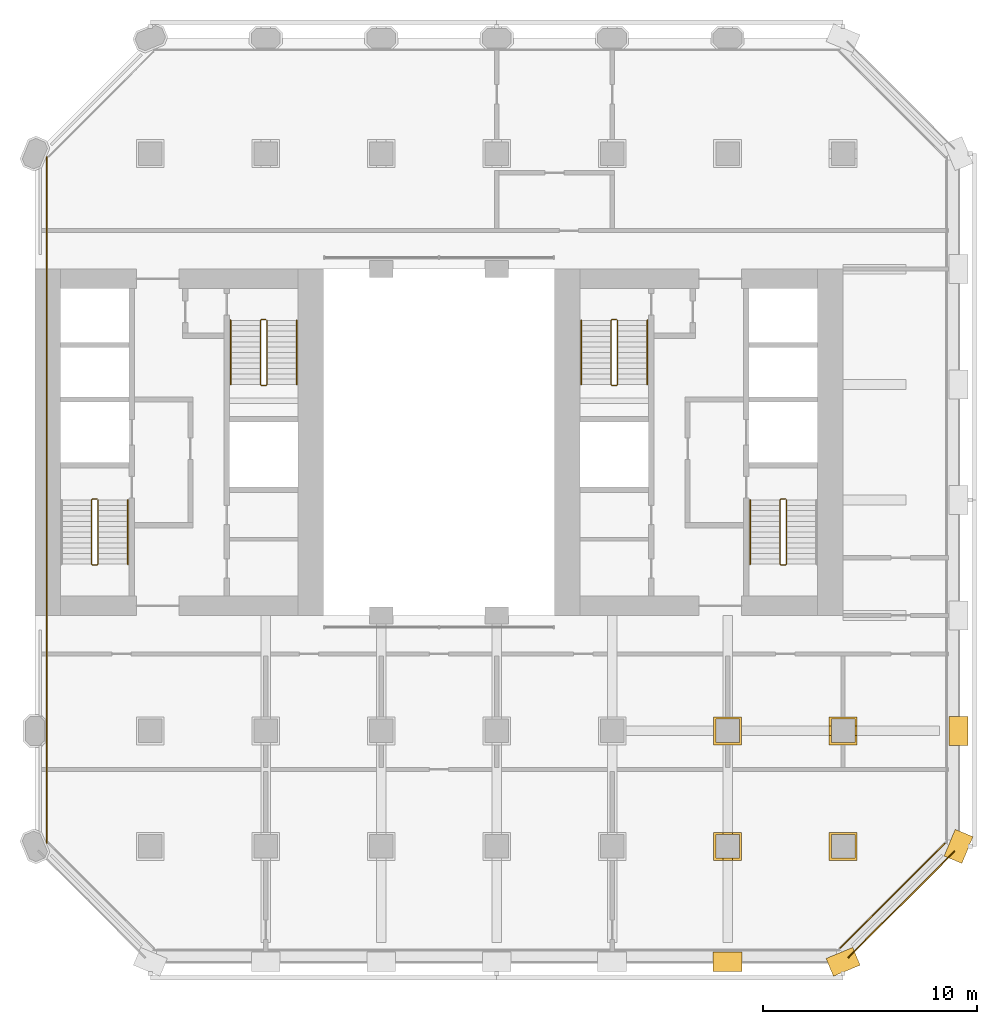
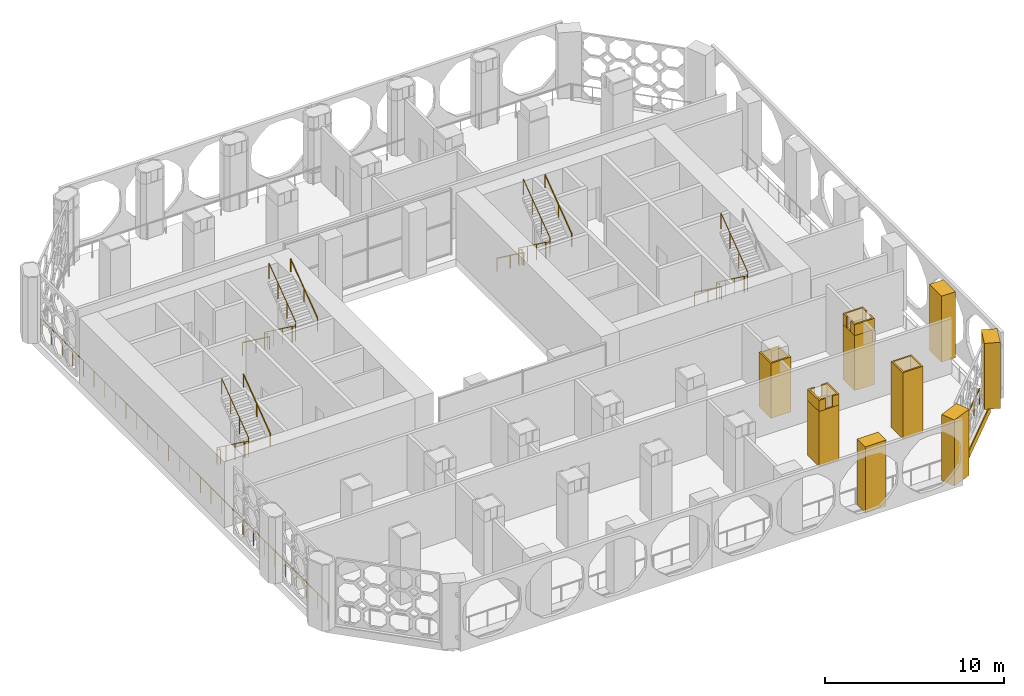
# One storey, part 12 of 14: 13 coverings, 12 railings.
"""IFC4 building model written with IfcOpenShell, lengths in metres."""

from ifc_helpers import new_model, si_unit, direction, frame, frame_2d, origin, origin_2d, place, context, subcontext, project, spatial, polyline, rectangle, circle, outline, extrude, material, layer, layer_set, type_object, element, save


model = new_model("IFC4")

# Units and contexts
model_context = context("Model", 3, precision=1e-05, world=origin(), true_north=direction((0.0, 1.0)))
body_context = subcontext(model_context, "Body", "Model", "MODEL_VIEW")
ifc_project = project(units=[si_unit("LENGTHUNIT", "METRE"), si_unit("AREAUNIT", "SQUARE_METRE"), si_unit("VOLUMEUNIT", "CUBIC_METRE"), si_unit("PLANEANGLEUNIT", "RADIAN"), si_unit("MASSUNIT", "GRAM", prefix="KILO")], contexts=[model_context])

# Site, building, storey
site_placement = place(None, origin())
site = spatial("IfcSite", under=ifc_project, at=site_placement, CompositionType="ELEMENT")
building_placement = place(site_placement, origin())
building = spatial("IfcBuilding", under=site, at=building_placement, Name="Tabaq Tower and Sports Hall", CompositionType="ELEMENT")
storey_placement = place(building_placement, frame((0.0, 0.0, 60.199951171875)))
storey = spatial("IfcBuildingStorey", under=building, at=storey_placement, Name="L13", CompositionType="ELEMENT", Elevation=60.199951171875)

# Coverings
ifc_material_1 = material(Name="Precast concrete C60/75", Category="concrete")
ifc_layer_1 = layer(ifc_material_1, 0.10009765625)
ifc_layer_set_1 = layer_set([ifc_layer_1], Name="Column cladding 100")
covering_type_1 = type_object("IfcCoveringType", Name="Column cladding 100", PredefinedType="CLADDING", material=ifc_layer_set_1)
covering_1_placement = place(storey_placement, origin())
element("IfcCovering", 1, at=covering_1_placement, inside=storey, type_object=covering_type_1, Name="Column cladding L13 CC-8B-O1", PredefinedType="CLADDING", context=body_context, shape_type="SweptSolid", body=[
    extrude(outline(polyline([(37.150390625, 6.0498046875), (38.44970703125, 6.0498046875), (38.44970703125, 4.750244140625), (37.150390625, 4.750244140625), (37.150390625, 6.0498046875)]), holes=[polyline([(38.350341796875, 4.849609375), (38.350341796875, 5.9501953125), (37.249755859375, 5.9501953125), (37.249755859375, 4.849609375), (38.350341796875, 4.849609375)])]), origin(), (0.0, 0.0, 1.0), 3.75),
])
covering_2_placement = place(storey_placement, frame((0.0, 0.0, 3.75)))
element("IfcCovering", 2, at=covering_2_placement, inside=storey, type_object=covering_type_1, Name="Column cladding L13 CC-8B-O1 head", PredefinedType="CLADDING", context=body_context, shape_type="SweptSolid", body=[
    extrude(outline(polyline([(37.574462890625, 4.849365234375), (37.574462890625, 4.75048828125), (37.150634765625, 4.75048828125), (37.150634765625, 6.04931640625), (37.574462890625, 6.04931640625), (37.574462890625, 5.95068359375), (37.24951171875, 5.95068359375), (37.24951171875, 4.849365234375), (37.574462890625, 4.849365234375)])), origin(), (0.0, 0.0, 1.0), 0.75),
])
covering_3_placement = place(storey_placement, frame((0.0, 0.0, 3.75)))
element("IfcCovering", 3, at=covering_3_placement, inside=storey, type_object=covering_type_1, Name="Column cladding L13 CC-8B-O1 head 2", PredefinedType="CLADDING", context=body_context, shape_type="SweptSolid", body=[
    extrude(outline(polyline([(38.025634765625, 4.849365234375), (38.3505859375, 4.849365234375), (38.3505859375, 5.95068359375), (38.025634765625, 5.95068359375), (38.025634765625, 6.04931640625), (38.449462890625, 6.04931640625), (38.449462890625, 4.75048828125), (38.025634765625, 4.75048828125), (38.025634765625, 4.849365234375)])), origin(), (0.0, 0.0, 1.0), 0.75),
])
covering_4_placement = place(storey_placement, origin())
element("IfcCovering", 4, at=covering_4_placement, inside=storey, type_object=covering_type_1, Name="Column cladding L13 CC-8C-O1", PredefinedType="CLADDING", context=body_context, shape_type="SweptSolid", body=[
    extrude(outline(polyline([(37.150390625, 11.44970703125), (38.44970703125, 11.44970703125), (38.44970703125, 10.150390625), (37.150390625, 10.150390625), (37.150390625, 11.44970703125)]), holes=[polyline([(38.350341796875, 10.249755859375), (38.350341796875, 11.350341796875), (37.249755859375, 11.350341796875), (37.249755859375, 10.249755859375), (38.350341796875, 10.249755859375)])]), origin(), (0.0, 0.0, 1.0), 3.75),
])
covering_5_placement = place(storey_placement, origin())
element("IfcCovering", 5, at=covering_5_placement, inside=storey, type_object=covering_type_1, Name="Column cladding L13 CC-9B-O1", PredefinedType="CLADDING", context=body_context, shape_type="SweptSolid", body=[
    extrude(outline(polyline([(42.55029296875, 6.0498046875), (43.849609375, 6.0498046875), (43.849609375, 4.750244140625), (42.55029296875, 4.750244140625), (42.55029296875, 6.0498046875)]), holes=[polyline([(43.750244140625, 4.849609375), (43.750244140625, 5.9501953125), (42.649658203125, 5.9501953125), (42.649658203125, 4.849609375), (43.750244140625, 4.849609375)])]), origin(), (0.0, 0.0, 1.0), 4.5),
])
covering_6_placement = place(storey_placement, origin())
element("IfcCovering", 6, at=covering_6_placement, inside=storey, type_object=covering_type_1, Name="Column cladding L13 CC-9C-O1", PredefinedType="CLADDING", context=body_context, shape_type="SweptSolid", body=[
    extrude(outline(polyline([(42.55029296875, 11.44970703125), (43.849609375, 11.44970703125), (43.849609375, 10.150390625), (42.55029296875, 10.150390625), (42.55029296875, 11.44970703125)]), holes=[polyline([(43.750244140625, 10.249755859375), (43.750244140625, 11.350341796875), (42.649658203125, 11.350341796875), (42.649658203125, 10.249755859375), (43.750244140625, 10.249755859375)])]), origin(), (0.0, 0.0, 1.0), 3.75),
])
covering_7_placement = place(storey_placement, frame((0.0, 0.0, 3.75)))
element("IfcCovering", 7, at=covering_7_placement, inside=storey, type_object=covering_type_1, Name="Column cladding L13 CC-9C-O1 head", PredefinedType="CLADDING", context=body_context, shape_type="SweptSolid", body=[
    extrude(outline(polyline([(42.6494140625, 11.025634765625), (42.550537109375, 11.025634765625), (42.550537109375, 11.449462890625), (43.849365234375, 11.449462890625), (43.849365234375, 11.025634765625), (43.75048828125, 11.025634765625), (43.75048828125, 11.3505859375), (42.6494140625, 11.3505859375), (42.6494140625, 11.025634765625)])), origin(), (0.0, 0.0, 1.0), 0.75),
])
covering_8_placement = place(storey_placement, frame((0.0, 0.0, 3.75)))
element("IfcCovering", 8, at=covering_8_placement, inside=storey, type_object=covering_type_1, Name="Column cladding L13 CC-9C-O1 head 2", PredefinedType="CLADDING", context=body_context, shape_type="SweptSolid", body=[
    extrude(outline(polyline([(42.6494140625, 10.574462890625), (42.6494140625, 10.24951171875), (43.75048828125, 10.24951171875), (43.75048828125, 10.574462890625), (43.849365234375, 10.574462890625), (43.849365234375, 10.150634765625), (42.550537109375, 10.150634765625), (42.550537109375, 10.574462890625), (42.6494140625, 10.574462890625)])), origin(), (0.0, 0.0, 1.0), 0.75),
])
ifc_material_2 = material(Name="Precast concrete C60/75", Category="concrete")
ifc_layer_2 = layer(ifc_material_2, 0.06005859375)
ifc_layer_set_2 = layer_set([ifc_layer_2], Name="Edge beam cladding 60")
covering_type_2 = type_object("IfcCoveringType", Name="Edge beam cladding 60", PredefinedType="CLADDING", material=ifc_layer_set_2)
covering_9_placement = place(storey_placement, frame((43.432373046875, 0.18994140625, -0.5), z_axis=(0.0, 0.0, 1.0), x_axis=(0.707106781187, 0.707106781187, 0.0)))
element("IfcCovering", 9, at=covering_9_placement, inside=storey, type_object=covering_type_2, Name="Edge beam cladding L13 2", PredefinedType="CLADDING", context=body_context, shape_type="SweptSolid", body=[
    extrude(rectangle(XDim=7.03955078125, YDim=0.06005859375, at=frame_2d((3.519775390625, 0.0))), origin(), (0.0, 0.0, 1.0), 0.5),
])

# Railings
ifc_material_3 = material(Name="Stainless steel S316 and laminated glass", Category="steel")
railing_type_1 = type_object("IfcRailingType", Name="Guard 1100 steel and glass", PredefinedType="GUARDRAIL", material=ifc_material_3)
railing_1_placement = place(storey_placement, frame((43.0712890625, 0.64892578125, 0.0)))
element("IfcRailing", 10, at=railing_1_placement, inside=storey, type_object=railing_type_1, Name="Guard L13 SE", PredefinedType="GUARDRAIL", context=body_context, shape_type="SweptSolid", body=[
    extrude(circle(Radius=0.02490234375, at=origin_2d()), frame((0.0, 0.0, 1.0751953125), z_axis=(0.70708909224, 0.70712446969, 0.0), x_axis=(-0.70712446969, 0.70708909224, 0.0)), (0.0, 0.0, 1.0), 6.901123046875),
    extrude(circle(Radius=0.02001953125, at=origin_2d()), origin(), (0.0, 0.0, 1.0), 1.050048828125),
    extrude(circle(Radius=0.02001953125, at=origin_2d()), frame((0.813232421875, 0.813232421875, 0.0)), (0.0, 0.0, 1.0), 1.050048828125),
    extrude(circle(Radius=0.02001953125, at=origin_2d()), frame((1.62646484375, 1.626708984375, 0.0)), (0.0, 0.0, 1.0), 1.050048828125),
    extrude(circle(Radius=0.02001953125, at=origin_2d()), frame((2.43994140625, 2.43994140625, 0.0)), (0.0, 0.0, 1.0), 1.050048828125),
    extrude(circle(Radius=0.02001953125, at=origin_2d()), frame((3.253173828125, 3.253173828125, 0.0)), (0.0, 0.0, 1.0), 1.050048828125),
    extrude(circle(Radius=0.02001953125, at=origin_2d()), frame((4.06640625, 4.066650390625, 0.0)), (0.0, 0.0, 1.0), 1.050048828125),
    extrude(circle(Radius=0.02001953125, at=origin_2d()), frame((4.879638671875, 4.8798828125, 0.0)), (0.0, 0.0, 1.0), 1.050048828125),
])
railing_2_placement = place(storey_placement, frame((5.949951171875, 37.63427734375, 0.0)))
element("IfcRailing", 11, at=railing_2_placement, inside=storey, type_object=railing_type_1, Name="Guard L13 W", PredefinedType="GUARDRAIL", context=body_context, shape_type="SweptSolid", body=[
    extrude(circle(Radius=0.02490234375, at=origin_2d()), frame((0.0, 0.0, 1.0751953125), z_axis=(0.0, -1.0, 0.0), x_axis=(1.0, 0.0, 0.0)), (0.0, 0.0, 1.0), 32.068603515625),
    extrude(circle(Radius=0.02001953125, at=origin_2d()), origin(), (0.0, 0.0, 1.0), 1.050048828125),
    extrude(circle(Radius=0.02001953125, at=origin_2d()), frame((0.0, -1.187744140625, 0.0)), (0.0, 0.0, 1.0), 1.050048828125),
    extrude(circle(Radius=0.02001953125, at=origin_2d()), frame((0.0, -2.37548828125, 0.0)), (0.0, 0.0, 1.0), 1.050048828125),
    extrude(circle(Radius=0.02001953125, at=origin_2d()), frame((0.0, -3.563232421875, 0.0)), (0.0, 0.0, 1.0), 1.050048828125),
    extrude(circle(Radius=0.02001953125, at=origin_2d()), frame((0.0, -4.7509765625, 0.0)), (0.0, 0.0, 1.0), 1.050048828125),
    extrude(circle(Radius=0.02001953125, at=origin_2d()), frame((0.0, -5.938720703125, 0.0)), (0.0, 0.0, 1.0), 1.050048828125),
    extrude(circle(Radius=0.02001953125, at=origin_2d()), frame((0.0, -7.12646484375, 0.0)), (0.0, 0.0, 1.0), 1.050048828125),
    extrude(circle(Radius=0.02001953125, at=origin_2d()), frame((0.0, -8.31396484375, 0.0)), (0.0, 0.0, 1.0), 1.050048828125),
    extrude(circle(Radius=0.02001953125, at=origin_2d()), frame((0.0, -9.501708984375, 0.0)), (0.0, 0.0, 1.0), 1.050048828125),
    extrude(circle(Radius=0.02001953125, at=origin_2d()), frame((0.0, -10.689453125, 0.0)), (0.0, 0.0, 1.0), 1.050048828125),
    extrude(circle(Radius=0.02001953125, at=origin_2d()), frame((0.0, -11.877197265625, 0.0)), (0.0, 0.0, 1.0), 1.050048828125),
    extrude(circle(Radius=0.02001953125, at=origin_2d()), frame((0.0, -13.06494140625, 0.0)), (0.0, 0.0, 1.0), 1.050048828125),
    extrude(circle(Radius=0.02001953125, at=origin_2d()), frame((0.0, -14.252685546875, 0.0)), (0.0, 0.0, 1.0), 1.050048828125),
    extrude(circle(Radius=0.02001953125, at=origin_2d()), frame((0.0, -15.4404296875, 0.0)), (0.0, 0.0, 1.0), 1.050048828125),
    extrude(circle(Radius=0.02001953125, at=origin_2d()), frame((0.0, -16.628173828125, 0.0)), (0.0, 0.0, 1.0), 1.050048828125),
    extrude(circle(Radius=0.02001953125, at=origin_2d()), frame((0.0, -17.81591796875, 0.0)), (0.0, 0.0, 1.0), 1.050048828125),
    extrude(circle(Radius=0.02001953125, at=origin_2d()), frame((0.0, -19.003662109375, 0.0)), (0.0, 0.0, 1.0), 1.050048828125),
    extrude(circle(Radius=0.02001953125, at=origin_2d()), frame((0.0, -20.19140625, 0.0)), (0.0, 0.0, 1.0), 1.050048828125),
    extrude(circle(Radius=0.02001953125, at=origin_2d()), frame((0.0, -21.379150390625, 0.0)), (0.0, 0.0, 1.0), 1.050048828125),
    extrude(circle(Radius=0.02001953125, at=origin_2d()), frame((0.0, -22.56689453125, 0.0)), (0.0, 0.0, 1.0), 1.050048828125),
    extrude(circle(Radius=0.02001953125, at=origin_2d()), frame((0.0, -23.754638671875, 0.0)), (0.0, 0.0, 1.0), 1.050048828125),
    extrude(circle(Radius=0.02001953125, at=origin_2d()), frame((0.0, -24.942138671875, 0.0)), (0.0, 0.0, 1.0), 1.050048828125),
    extrude(circle(Radius=0.02001953125, at=origin_2d()), frame((0.0, -26.1298828125, 0.0)), (0.0, 0.0, 1.0), 1.050048828125),
    extrude(circle(Radius=0.02001953125, at=origin_2d()), frame((0.0, -27.317626953125, 0.0)), (0.0, 0.0, 1.0), 1.050048828125),
    extrude(circle(Radius=0.02001953125, at=origin_2d()), frame((0.0, -28.50537109375, 0.0)), (0.0, 0.0, 1.0), 1.050048828125),
    extrude(circle(Radius=0.02001953125, at=origin_2d()), frame((0.0, -29.693115234375, 0.0)), (0.0, 0.0, 1.0), 1.050048828125),
    extrude(circle(Radius=0.02001953125, at=origin_2d()), frame((0.0, -30.880859375, 0.0)), (0.0, 0.0, 1.0), 1.050048828125),
    extrude(circle(Radius=0.02001953125, at=origin_2d()), frame((0.0, -32.068603515625, 0.0)), (0.0, 0.0, 1.0), 1.050048828125),
])

# Coverings
ifc_material_4 = material(Name="White precast concrete C60/75", Category="concrete")
covering_type_3 = type_object("IfcCoveringType", Name="Pier cladding hung 1350x900", PredefinedType="CLADDING", material=ifc_material_4)
for number, where, z_axis, x_axis, name in (
    (12, (37.125, 0.0, 0.0), (0.0, 0.0, 1.0), (1.0, 0.0, 0.0), "Hung pier cladding 7/0"),
    (13, (42.576416015625, -0.25830078125, 0.0), (0.0, 0.0, 1.0), (0.923893411637, 0.382649923473, 0.0), "Hung pier cladding 8/0"),
    (14, (48.341796875, 4.7763671875, 0.0), (0.0, 0.0, 1.0), (0.382649923473, 0.923893411637, 0.0), "Hung pier cladding 9/1"),
    (15, (48.60009765625, 10.125, 0.0), (0.0, 0.0, 1.0), (0.0, 1.0, 0.0), "Hung pier cladding 9/2"),
):
    element("IfcCovering", number, at=place(storey_placement, frame(where, z_axis=z_axis, x_axis=x_axis)), inside=storey, type_object=covering_type_3, Name=name, PredefinedType="CLADDING", context=body_context, shape_type="SweptSolid", body=[
        extrude(rectangle(XDim=1.35009765625, YDim=0.89990234375, at=frame_2d((0.675048828125, 0.0))), origin(), (0.0, 0.0, 1.0), 4.5),
    ])

# Railings
ifc_material_5 = material(Name="Stainless steel", Category="steel")
railing_type_2 = type_object("IfcRailingType", Name="Stair guard", PredefinedType="GUARDRAIL", material=ifc_material_5)
railing_3_placement = place(storey_placement, frame((8.300048828125, 21.64990234375, 0.0)))
element("IfcRailing", 16, at=railing_3_placement, inside=storey, type_object=railing_type_2, Name="L13 ST1 stair guard 1", PredefinedType="GUARDRAIL", context=body_context, shape_type="SweptSolid", body=[
    extrude(circle(Radius=0.02392578125, at=origin_2d()), frame((0.0, 0.0, 1.076171875), z_axis=(-1.0, 0.0, 0.0), x_axis=(0.0, -1.0, 0.0)), (0.0, 0.0, 1.0), 0.199951171875),
    extrude(circle(Radius=0.02392578125, at=origin_2d()), frame((-0.199951171875, 0.0, 1.076171875), z_axis=(-0.253264628505, -0.252029191293, 0.933990532438), x_axis=(0.705375805398, -0.708833529934, 0.0)), (0.0, 0.0, 1.0), 0.197509765625),
    extrude(circle(Radius=0.02392578125, at=origin_2d()), frame((-0.25, -0.0498046875, 1.2607421875), z_axis=(0.0, -0.804408721428, 0.594076265214), x_axis=(1.0, 0.0, 0.0)), (0.0, 0.0, 1.0), 3.7294921875),
    extrude(circle(Radius=0.02392578125, at=origin_2d()), frame((-0.25, -3.0498046875, 3.47607421875), z_axis=(0.707106781187, -0.707106781187, 0.0), x_axis=(0.707106781187, 0.707106781187, 0.0)), (0.0, 0.0, 1.0), 0.07080078125),
    extrude(circle(Radius=0.02392578125, at=origin_2d()), frame((-0.199951171875, -3.099853515625, 3.47607421875), z_axis=(1.0, 0.0, 0.0), x_axis=(0.0, 1.0, 0.0)), (0.0, 0.0, 1.0), 0.199951171875),
    extrude(circle(Radius=0.02392578125, at=origin_2d()), frame((0.0, -3.099853515625, 3.47607421875), z_axis=(0.253185614162, 0.253185614162, 0.933699142959), x_axis=(-0.707106781187, 0.707106781187, 0.0)), (0.0, 0.0, 1.0), 0.19775390625),
    extrude(circle(Radius=0.02392578125, at=origin_2d()), frame((0.050048828125, -3.0498046875, 3.66064453125), z_axis=(0.0, 0.804440004972, 0.594033903411), x_axis=(-1.0, 0.0, 0.0)), (0.0, 0.0, 1.0), 3.729248046875),
    extrude(circle(Radius=0.02099609375, at=origin_2d()), origin(), (0.0, 0.0, 1.0), 1.052001953125),
    extrude(circle(Radius=0.02099609375, at=origin_2d()), frame((-0.199951171875, 0.0, 0.0)), (0.0, 0.0, 1.0), 1.052001953125),
    extrude(circle(Radius=0.02099609375, at=origin_2d()), frame((-0.25, -0.0498046875, 0.1845703125)), (0.0, 0.0, 1.0), 1.052001953125),
    extrude(circle(Radius=0.02099609375, at=origin_2d()), frame((-0.25, -1.0498046875, 0.923095703125)), (0.0, 0.0, 1.0), 1.052001953125),
    extrude(circle(Radius=0.02099609375, at=origin_2d()), frame((-0.25, -2.0498046875, 1.66162109375)), (0.0, 0.0, 1.0), 1.052001953125),
    extrude(circle(Radius=0.02099609375, at=origin_2d()), frame((-0.25, -3.0498046875, 2.400146484375)), (0.0, 0.0, 1.0), 1.052001953125),
    extrude(circle(Radius=0.02099609375, at=origin_2d()), frame((-0.199951171875, -3.099853515625, 2.400146484375)), (0.0, 0.0, 1.0), 1.052001953125),
    extrude(circle(Radius=0.02099609375, at=origin_2d()), frame((0.0, -3.099853515625, 2.400146484375)), (0.0, 0.0, 1.0), 1.052001953125),
    extrude(circle(Radius=0.02099609375, at=origin_2d()), frame((0.050048828125, -3.0498046875, 2.584716796875)), (0.0, 0.0, 1.0), 1.052001953125),
    extrude(circle(Radius=0.02099609375, at=origin_2d()), frame((0.050048828125, -2.0498046875, 3.3232421875)), (0.0, 0.0, 1.0), 1.052001953125),
    extrude(circle(Radius=0.02099609375, at=origin_2d()), frame((0.050048828125, -1.0498046875, 4.0615234375)), (0.0, 0.0, 1.0), 1.052001953125),
    extrude(circle(Radius=0.02099609375, at=origin_2d()), frame((0.050048828125, -0.0498046875, 4.800048828125)), (0.0, 0.0, 1.0), 1.052001953125),
])
railing_4_placement = place(storey_placement, frame((16.199951171875, 30.050048828125, 0.0)))
element("IfcRailing", 17, at=railing_4_placement, inside=storey, type_object=railing_type_2, Name="L13 ST2 stair guard 1", PredefinedType="GUARDRAIL", context=body_context, shape_type="SweptSolid", body=[
    extrude(circle(Radius=0.02392578125, at=origin_2d()), frame((0.0, 0.0, 1.076171875), z_axis=(-1.0, 0.0, 0.0), x_axis=(0.0, -1.0, 0.0)), (0.0, 0.0, 1.0), 0.199951171875),
    extrude(circle(Radius=0.02392578125, at=origin_2d()), frame((-0.199951171875, 0.0, 1.076171875), z_axis=(-0.253185614162, -0.253185614162, 0.933699142959), x_axis=(0.707106781187, -0.707106781187, 0.0)), (0.0, 0.0, 1.0), 0.19775390625),
    extrude(circle(Radius=0.02392578125, at=origin_2d()), frame((-0.25, -0.050048828125, 1.2607421875), z_axis=(0.0, -0.804408721428, 0.594076265214), x_axis=(1.0, 0.0, 0.0)), (0.0, 0.0, 1.0), 3.7294921875),
    extrude(circle(Radius=0.02392578125, at=origin_2d()), frame((-0.25, -3.050048828125, 3.47607421875), z_axis=(0.707106781187, -0.707106781187, 0.0), x_axis=(0.707106781187, 0.707106781187, 0.0)), (0.0, 0.0, 1.0), 0.07080078125),
    extrude(circle(Radius=0.02392578125, at=origin_2d()), frame((-0.199951171875, -3.10009765625, 3.47607421875), z_axis=(1.0, 0.0, 0.0), x_axis=(0.0, 1.0, 0.0)), (0.0, 0.0, 1.0), 0.199951171875),
    extrude(circle(Radius=0.02392578125, at=origin_2d()), frame((0.0, -3.10009765625, 3.47607421875), z_axis=(0.253185614162, 0.253185614162, 0.933699142959), x_axis=(-0.707106781187, 0.707106781187, 0.0)), (0.0, 0.0, 1.0), 0.19775390625),
    extrude(circle(Radius=0.02392578125, at=origin_2d()), frame((0.050048828125, -3.050048828125, 3.66064453125), z_axis=(0.0, 0.804440004972, 0.594033903411), x_axis=(-1.0, 0.0, 0.0)), (0.0, 0.0, 1.0), 3.729248046875),
    extrude(circle(Radius=0.02099609375, at=origin_2d()), origin(), (0.0, 0.0, 1.0), 1.052001953125),
    extrude(circle(Radius=0.02099609375, at=origin_2d()), frame((-0.199951171875, 0.0, 0.0)), (0.0, 0.0, 1.0), 1.052001953125),
    extrude(circle(Radius=0.02099609375, at=origin_2d()), frame((-0.25, -0.050048828125, 0.1845703125)), (0.0, 0.0, 1.0), 1.052001953125),
    extrude(circle(Radius=0.02099609375, at=origin_2d()), frame((-0.25, -1.050048828125, 0.923095703125)), (0.0, 0.0, 1.0), 1.052001953125),
    extrude(circle(Radius=0.02099609375, at=origin_2d()), frame((-0.25, -2.050048828125, 1.66162109375)), (0.0, 0.0, 1.0), 1.052001953125),
    extrude(circle(Radius=0.02099609375, at=origin_2d()), frame((-0.25, -3.050048828125, 2.400146484375)), (0.0, 0.0, 1.0), 1.052001953125),
    extrude(circle(Radius=0.02099609375, at=origin_2d()), frame((-0.199951171875, -3.10009765625, 2.400146484375)), (0.0, 0.0, 1.0), 1.052001953125),
    extrude(circle(Radius=0.02099609375, at=origin_2d()), frame((0.0, -3.10009765625, 2.400146484375)), (0.0, 0.0, 1.0), 1.052001953125),
    extrude(circle(Radius=0.02099609375, at=origin_2d()), frame((0.050048828125, -3.050048828125, 2.584716796875)), (0.0, 0.0, 1.0), 1.052001953125),
    extrude(circle(Radius=0.02099609375, at=origin_2d()), frame((0.050048828125, -2.050048828125, 3.3232421875)), (0.0, 0.0, 1.0), 1.052001953125),
    extrude(circle(Radius=0.02099609375, at=origin_2d()), frame((0.050048828125, -1.050048828125, 4.0615234375)), (0.0, 0.0, 1.0), 1.052001953125),
    extrude(circle(Radius=0.02099609375, at=origin_2d()), frame((0.050048828125, -0.050048828125, 4.800048828125)), (0.0, 0.0, 1.0), 1.052001953125),
])
railing_5_placement = place(storey_placement, frame((40.5, 21.64990234375, 0.0)))
element("IfcRailing", 18, at=railing_5_placement, inside=storey, type_object=railing_type_2, Name="L13 ST3 stair guard 1", PredefinedType="GUARDRAIL", context=body_context, shape_type="SweptSolid", body=[
    extrude(circle(Radius=0.02392578125, at=origin_2d()), frame((0.0, 0.0, 1.076171875), z_axis=(-1.0, 0.0, 0.0), x_axis=(0.0, -1.0, 0.0)), (0.0, 0.0, 1.0), 0.199951171875),
    extrude(circle(Radius=0.02392578125, at=origin_2d()), frame((-0.199951171875, 0.0, 1.076171875), z_axis=(-0.253264628505, -0.252029191293, 0.933990532438), x_axis=(0.705375805398, -0.708833529934, 0.0)), (0.0, 0.0, 1.0), 0.197509765625),
    extrude(circle(Radius=0.02392578125, at=origin_2d()), frame((-0.25, -0.0498046875, 1.2607421875), z_axis=(0.0, -0.804408721428, 0.594076265214), x_axis=(1.0, 0.0, 0.0)), (0.0, 0.0, 1.0), 3.7294921875),
    extrude(circle(Radius=0.02392578125, at=origin_2d()), frame((-0.25, -3.0498046875, 3.47607421875), z_axis=(0.707106781187, -0.707106781187, 0.0), x_axis=(0.707106781187, 0.707106781187, 0.0)), (0.0, 0.0, 1.0), 0.07080078125),
    extrude(circle(Radius=0.02392578125, at=origin_2d()), frame((-0.199951171875, -3.099853515625, 3.47607421875), z_axis=(1.0, 0.0, 0.0), x_axis=(0.0, 1.0, 0.0)), (0.0, 0.0, 1.0), 0.199951171875),
    extrude(circle(Radius=0.02392578125, at=origin_2d()), frame((0.0, -3.099853515625, 3.47607421875), z_axis=(0.253185614162, 0.253185614162, 0.933699142959), x_axis=(-0.707106781187, 0.707106781187, 0.0)), (0.0, 0.0, 1.0), 0.19775390625),
    extrude(circle(Radius=0.02392578125, at=origin_2d()), frame((0.050048828125, -3.0498046875, 3.66064453125), z_axis=(0.0, 0.804440004972, 0.594033903411), x_axis=(-1.0, 0.0, 0.0)), (0.0, 0.0, 1.0), 3.729248046875),
    extrude(circle(Radius=0.02099609375, at=origin_2d()), origin(), (0.0, 0.0, 1.0), 1.052001953125),
    extrude(circle(Radius=0.02099609375, at=origin_2d()), frame((-0.199951171875, 0.0, 0.0)), (0.0, 0.0, 1.0), 1.052001953125),
    extrude(circle(Radius=0.02099609375, at=origin_2d()), frame((-0.25, -0.0498046875, 0.1845703125)), (0.0, 0.0, 1.0), 1.052001953125),
    extrude(circle(Radius=0.02099609375, at=origin_2d()), frame((-0.25, -1.0498046875, 0.923095703125)), (0.0, 0.0, 1.0), 1.052001953125),
    extrude(circle(Radius=0.02099609375, at=origin_2d()), frame((-0.25, -2.0498046875, 1.66162109375)), (0.0, 0.0, 1.0), 1.052001953125),
    extrude(circle(Radius=0.02099609375, at=origin_2d()), frame((-0.25, -3.0498046875, 2.400146484375)), (0.0, 0.0, 1.0), 1.052001953125),
    extrude(circle(Radius=0.02099609375, at=origin_2d()), frame((-0.199951171875, -3.099853515625, 2.400146484375)), (0.0, 0.0, 1.0), 1.052001953125),
    extrude(circle(Radius=0.02099609375, at=origin_2d()), frame((0.0, -3.099853515625, 2.400146484375)), (0.0, 0.0, 1.0), 1.052001953125),
    extrude(circle(Radius=0.02099609375, at=origin_2d()), frame((0.050048828125, -3.0498046875, 2.584716796875)), (0.0, 0.0, 1.0), 1.052001953125),
    extrude(circle(Radius=0.02099609375, at=origin_2d()), frame((0.050048828125, -2.0498046875, 3.3232421875)), (0.0, 0.0, 1.0), 1.052001953125),
    extrude(circle(Radius=0.02099609375, at=origin_2d()), frame((0.050048828125, -1.0498046875, 4.0615234375)), (0.0, 0.0, 1.0), 1.052001953125),
    extrude(circle(Radius=0.02099609375, at=origin_2d()), frame((0.050048828125, -0.0498046875, 4.800048828125)), (0.0, 0.0, 1.0), 1.052001953125),
])
railing_6_placement = place(storey_placement, frame((32.60009765625, 30.050048828125, 0.0)))
element("IfcRailing", 19, at=railing_6_placement, inside=storey, type_object=railing_type_2, Name="L13 ST4 stair guard 1", PredefinedType="GUARDRAIL", context=body_context, shape_type="SweptSolid", body=[
    extrude(circle(Radius=0.02392578125, at=origin_2d()), frame((0.0, 0.0, 1.076171875), z_axis=(-1.0, 0.0, 0.0), x_axis=(0.0, -1.0, 0.0)), (0.0, 0.0, 1.0), 0.2001953125),
    extrude(circle(Radius=0.02392578125, at=origin_2d()), frame((-0.2001953125, 0.0, 1.076171875), z_axis=(-0.252029191293, -0.253264628505, 0.933990532438), x_axis=(0.708833529934, -0.705375805398, 0.0)), (0.0, 0.0, 1.0), 0.197509765625),
    extrude(circle(Radius=0.02392578125, at=origin_2d()), frame((-0.25, -0.050048828125, 1.2607421875), z_axis=(0.0, -0.804408721428, 0.594076265214), x_axis=(1.0, 0.0, 0.0)), (0.0, 0.0, 1.0), 3.7294921875),
    extrude(circle(Radius=0.02392578125, at=origin_2d()), frame((-0.25, -3.050048828125, 3.47607421875), z_axis=(0.705375805398, -0.708833529934, 0.0), x_axis=(0.708833529934, 0.705375805398, 0.0)), (0.0, 0.0, 1.0), 0.070556640625),
    extrude(circle(Radius=0.02392578125, at=origin_2d()), frame((-0.2001953125, -3.10009765625, 3.47607421875), z_axis=(1.0, 0.0, 0.0), x_axis=(0.0, 1.0, 0.0)), (0.0, 0.0, 1.0), 0.2001953125),
    extrude(circle(Radius=0.02392578125, at=origin_2d()), frame((0.0, -3.10009765625, 3.47607421875), z_axis=(0.252029191293, 0.253264628505, 0.933990532438), x_axis=(-0.708833529934, 0.705375805398, 0.0)), (0.0, 0.0, 1.0), 0.197509765625),
    extrude(circle(Radius=0.02392578125, at=origin_2d()), frame((0.0498046875, -3.050048828125, 3.66064453125), z_axis=(0.0, 0.804440004972, 0.594033903411), x_axis=(-1.0, 0.0, 0.0)), (0.0, 0.0, 1.0), 3.729248046875),
    extrude(circle(Radius=0.02099609375, at=origin_2d()), origin(), (0.0, 0.0, 1.0), 1.052001953125),
    extrude(circle(Radius=0.02099609375, at=origin_2d()), frame((-0.2001953125, 0.0, 0.0)), (0.0, 0.0, 1.0), 1.052001953125),
    extrude(circle(Radius=0.02099609375, at=origin_2d()), frame((-0.25, -0.050048828125, 0.1845703125)), (0.0, 0.0, 1.0), 1.052001953125),
    extrude(circle(Radius=0.02099609375, at=origin_2d()), frame((-0.25, -1.050048828125, 0.923095703125)), (0.0, 0.0, 1.0), 1.052001953125),
    extrude(circle(Radius=0.02099609375, at=origin_2d()), frame((-0.25, -2.050048828125, 1.66162109375)), (0.0, 0.0, 1.0), 1.052001953125),
    extrude(circle(Radius=0.02099609375, at=origin_2d()), frame((-0.25, -3.050048828125, 2.400146484375)), (0.0, 0.0, 1.0), 1.052001953125),
    extrude(circle(Radius=0.02099609375, at=origin_2d()), frame((-0.2001953125, -3.10009765625, 2.400146484375)), (0.0, 0.0, 1.0), 1.052001953125),
    extrude(circle(Radius=0.02099609375, at=origin_2d()), frame((0.0, -3.10009765625, 2.400146484375)), (0.0, 0.0, 1.0), 1.052001953125),
    extrude(circle(Radius=0.02099609375, at=origin_2d()), frame((0.0498046875, -3.050048828125, 2.584716796875)), (0.0, 0.0, 1.0), 1.052001953125),
    extrude(circle(Radius=0.02099609375, at=origin_2d()), frame((0.0498046875, -2.050048828125, 3.3232421875)), (0.0, 0.0, 1.0), 1.052001953125),
    extrude(circle(Radius=0.02099609375, at=origin_2d()), frame((0.0498046875, -1.050048828125, 4.0615234375)), (0.0, 0.0, 1.0), 1.052001953125),
    extrude(circle(Radius=0.02099609375, at=origin_2d()), frame((0.0498046875, -0.050048828125, 4.800048828125)), (0.0, 0.0, 1.0), 1.052001953125),
])
ifc_material_6 = material(Name="Stainless steel", Category="steel")
railing_type_3 = type_object("IfcRailingType", Name="Stair handrail", PredefinedType="HANDRAIL", material=ifc_material_6)
railing_7_placement = place(storey_placement, frame((9.75, 18.60009765625, 2.584716796875)))
element("IfcRailing", 20, at=railing_7_placement, inside=storey, type_object=railing_type_3, Name="L13 ST1 stair handrail 2", PredefinedType="HANDRAIL", context=body_context, shape_type="SweptSolid", body=[
    extrude(circle(Radius=0.02392578125, at=origin_2d()), frame((0.0, 0.0, 0.8759765625), z_axis=(0.0, 0.804440004972, 0.594033903411), x_axis=(-1.0, 0.0, 0.0)), (0.0, 0.0, 1.0), 3.729248046875),
    extrude(circle(Radius=0.02099609375, at=origin_2d()), origin(), (0.0, 0.0, 1.0), 0.851806640625),
    extrude(circle(Radius=0.02099609375, at=origin_2d()), frame((0.0, 1.5, 1.107666015625)), (0.0, 0.0, 1.0), 0.851806640625),
    extrude(circle(Radius=0.02099609375, at=origin_2d()), frame((0.0, 3.0, 2.21533203125)), (0.0, 0.0, 1.0), 0.851806640625),
])
railing_8_placement = place(storey_placement, frame((14.550048828125, 30.0, 0.1845703125)))
element("IfcRailing", 21, at=railing_8_placement, inside=storey, type_object=railing_type_3, Name="L13 ST2 stair handrail 1", PredefinedType="HANDRAIL", context=body_context, shape_type="SweptSolid", body=[
    extrude(circle(Radius=0.02392578125, at=origin_2d()), frame((0.0, 0.0, 0.8759765625), z_axis=(0.0, -0.804408721428, 0.594076265214), x_axis=(1.0, 0.0, 0.0)), (0.0, 0.0, 1.0), 3.7294921875),
    extrude(circle(Radius=0.02099609375, at=origin_2d()), origin(), (0.0, 0.0, 1.0), 0.851806640625),
    extrude(circle(Radius=0.02099609375, at=origin_2d()), frame((0.0, -1.5, 1.10791015625)), (0.0, 0.0, 1.0), 0.851806640625),
    extrude(circle(Radius=0.02099609375, at=origin_2d()), frame((0.0, -3.0, 2.215576171875)), (0.0, 0.0, 1.0), 0.851806640625),
])
railing_9_placement = place(storey_placement, frame((17.64990234375, 27.0, 2.584716796875)))
element("IfcRailing", 22, at=railing_9_placement, inside=storey, type_object=railing_type_3, Name="L13 ST2 stair handrail 2", PredefinedType="HANDRAIL", context=body_context, shape_type="SweptSolid", body=[
    extrude(circle(Radius=0.02392578125, at=origin_2d()), frame((0.0, 0.0, 0.8759765625), z_axis=(0.0, 0.804440004972, 0.594033903411), x_axis=(-1.0, 0.0, 0.0)), (0.0, 0.0, 1.0), 3.729248046875),
    extrude(circle(Radius=0.02099609375, at=origin_2d()), origin(), (0.0, 0.0, 1.0), 0.851806640625),
    extrude(circle(Radius=0.02099609375, at=origin_2d()), frame((0.0, 1.5, 1.107666015625)), (0.0, 0.0, 1.0), 0.851806640625),
    extrude(circle(Radius=0.02099609375, at=origin_2d()), frame((0.0, 3.0, 2.21533203125)), (0.0, 0.0, 1.0), 0.851806640625),
])
for number, where, name in (
    (23, (38.85009765625, 21.60009765625, 0.1845703125), "L13 ST3 stair handrail 1"),
    (24, (30.949951171875, 30.0, 0.1845703125), "L13 ST4 stair handrail 1"),
):
    element("IfcRailing", number, at=place(storey_placement, frame(where)), inside=storey, type_object=railing_type_3, Name=name, PredefinedType="HANDRAIL", context=body_context, shape_type="SweptSolid", body=[
        extrude(circle(Radius=0.02392578125, at=origin_2d()), frame((0.0, 0.0, 0.8759765625), z_axis=(0.0, -0.804408721428, 0.594076265214), x_axis=(1.0, 0.0, 0.0)), (0.0, 0.0, 1.0), 3.7294921875),
        extrude(circle(Radius=0.02099609375, at=origin_2d()), origin(), (0.0, 0.0, 1.0), 0.851806640625),
        extrude(circle(Radius=0.02099609375, at=origin_2d()), frame((0.0, -1.5, 1.10791015625)), (0.0, 0.0, 1.0), 0.851806640625),
        extrude(circle(Radius=0.02099609375, at=origin_2d()), frame((0.0, -3.0, 2.215576171875)), (0.0, 0.0, 1.0), 0.851806640625),
    ])
railing_10_placement = place(storey_placement, frame((34.050048828125, 27.0, 2.584716796875)))
element("IfcRailing", 25, at=railing_10_placement, inside=storey, type_object=railing_type_3, Name="L13 ST4 stair handrail 2", PredefinedType="HANDRAIL", context=body_context, shape_type="SweptSolid", body=[
    extrude(circle(Radius=0.02392578125, at=origin_2d()), frame((0.0, 0.0, 0.8759765625), z_axis=(0.0, 0.804440004972, 0.594033903411), x_axis=(-1.0, 0.0, 0.0)), (0.0, 0.0, 1.0), 3.729248046875),
    extrude(circle(Radius=0.02099609375, at=origin_2d()), origin(), (0.0, 0.0, 1.0), 0.851806640625),
    extrude(circle(Radius=0.02099609375, at=origin_2d()), frame((0.0, 1.5, 1.107666015625)), (0.0, 0.0, 1.0), 0.851806640625),
    extrude(circle(Radius=0.02099609375, at=origin_2d()), frame((0.0, 3.0, 2.21533203125)), (0.0, 0.0, 1.0), 0.851806640625),
])

save(model, "model.ifc")
